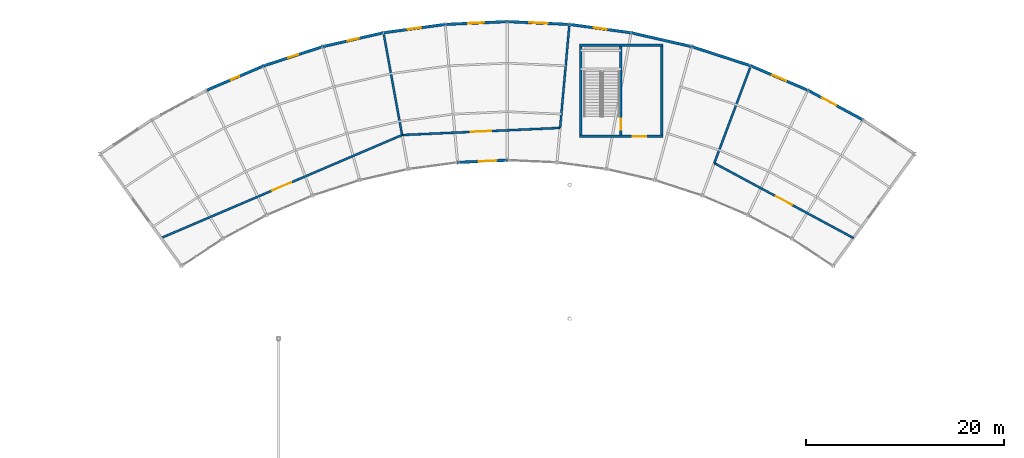
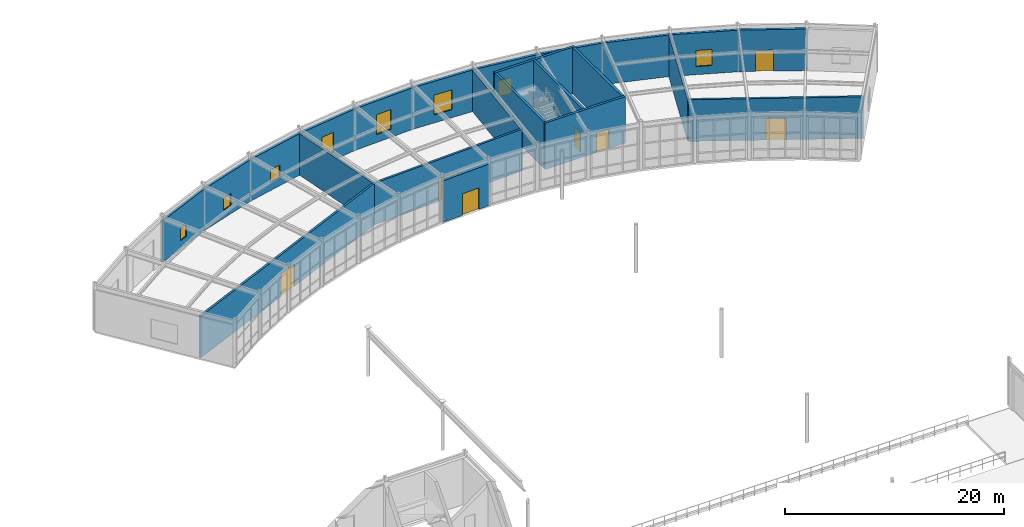
# One storey, part 68 of 87: 23 walls, 8 windows, 7 doors, 15 openings.
"""IFC4 building model written with IfcOpenShell, lengths in metres."""

from ifc_helpers import new_model, si_unit, direction, frame, frame_2d, origin, place, context, subcontext, project, spatial, rectangle, extrude, material, layer, layer_set, type_object, element, fill, save


model = new_model("IFC4")

# Units and contexts
model_context = context("Model", 3, precision=1e-05, world=origin(), true_north=direction((0.0, 1.0)))
body_context = subcontext(model_context, "Body", "Model", "MODEL_VIEW")
ifc_project = project(units=[si_unit("LENGTHUNIT", "METRE"), si_unit("AREAUNIT", "SQUARE_METRE"), si_unit("VOLUMEUNIT", "CUBIC_METRE"), si_unit("PLANEANGLEUNIT", "RADIAN"), si_unit("MASSUNIT", "GRAM", prefix="KILO")], contexts=[model_context])

# Site, building, storey
site_placement = place(None, origin())
site = spatial("IfcSite", under=ifc_project, at=site_placement, CompositionType="ELEMENT")
building_placement = place(site_placement, origin())
building = spatial("IfcBuilding", under=site, at=building_placement, Name="Selat Folded Stagehouse", CompositionType="ELEMENT")
storey_placement = place(building_placement, origin())
storey = spatial("IfcBuildingStorey", under=building, at=storey_placement, Name="L00", CompositionType="ELEMENT", Elevation=0.0)

# Wall, opening, door
ifc_material_1 = material(Name="Concrete C40/50", Category="concrete")
ifc_layer_1 = layer(ifc_material_1, 0.215087890625)
ifc_layer_set_1 = layer_set([ifc_layer_1], Name="Concrete C40/50")
wall_type_1 = type_object("IfcWallType", Name="WAL-COMP-215", PredefinedType="STANDARD", material=ifc_layer_set_1)
wall_1_placement = place(storey_placement, frame((57.4267578125, 86.136474609375, 0.0), z_axis=(0.0, 0.0, 1.0), x_axis=(0.919528963336, 0.393022245664, 0.0)))
wall_1 = element("IfcWall", 1, at=wall_1_placement, inside=storey, type_object=wall_type_1, Name="L00 interior partition wall 038", PredefinedType="STANDARD", context=body_context, shape_type="SweptSolid", body=[
    extrude(rectangle(XDim=26.47998046875, YDim=0.215087890625, at=frame_2d((13.239990234375, 0.0))), origin(), (0.0, 0.0, 1.0), 4.638916015625),
])
opening_1_placement = place(wall_1_placement, frame((12.18994140625, 0.0, 0.0)))
opening_1 = element("IfcOpeningElement", 2, at=opening_1_placement, cuts=wall_1, Name="Opening WD-01", PredefinedType="OPENING", context=body_context, shape_type="SweptSolid", body=[
    extrude(rectangle(XDim=2.10009765625, YDim=2.5, at=frame_2d((1.050048828125, 1.25))), frame((0.0, 0.117431640625, 0.0), z_axis=(0.0, -1.0, 0.0), x_axis=(1.0, 0.0, 0.0)), (0.0, 0.0, 1.0), 0.235107421875),
])
ifc_material_2 = material(Name="Scenery workshop double leaf door", Category="wood")
door_type_1 = type_object("IfcDoorType", Name="DOR-WK-2100", OperationType="NOTDEFINED", PredefinedType="DOOR", material=ifc_material_2)
door_1_placement = place(opening_1_placement, origin())
door_1 = element("IfcDoor", 3, at=door_1_placement, inside=storey, type_object=door_type_1, Name="L00 interior door IWAL-L00-038-1", OperationType="SINGLE_SWING_RIGHT", OverallHeight=2.5, OverallWidth=2.10009765625, PredefinedType="DOOR", context=body_context, shape_type="SweptSolid", body=[
    extrude(rectangle(XDim=2.10009765625, YDim=2.5, at=frame_2d((1.050048828125, 1.25))), frame((0.0, 0.02490234375, 0.0), z_axis=(0.0, -1.0, 0.0), x_axis=(1.0, 0.0, 0.0)), (0.0, 0.0, 1.0), 0.050048828125),
])
fill(opening_1, door_1)

wall_2_placement = place(storey_placement, frame((81.77587890625, 96.543701171875, 0.0), z_axis=(0.0, 0.0, 1.0), x_axis=(0.998992662888, 0.044873817482, 0.0)))
wall_2 = element("IfcWall", 4, at=wall_2_placement, inside=storey, type_object=wall_type_1, Name="L00 interior partition wall 039", PredefinedType="STANDARD", context=body_context, shape_type="SweptSolid", body=[
    extrude(rectangle(XDim=15.9736328125, YDim=0.215087890625, at=frame_2d((7.98681640625, 0.0))), origin(), (0.0, 0.0, 1.0), 4.638916015625),
])
opening_2_placement = place(wall_2_placement, frame((6.936767578125, 0.0, 0.0)))
opening_2 = element("IfcOpeningElement", 5, at=opening_2_placement, cuts=wall_2, Name="Opening WD-01", PredefinedType="OPENING", context=body_context, shape_type="SweptSolid", body=[
    extrude(rectangle(XDim=2.10009765625, YDim=2.5, at=frame_2d((1.050048828125, 1.25))), frame((0.0, 0.117431640625, 0.0), z_axis=(0.0, -1.0, 0.0), x_axis=(1.0, 0.0, 0.0)), (0.0, 0.0, 1.0), 0.235107421875),
])
door_2_placement = place(opening_2_placement, origin())
door_2 = element("IfcDoor", 6, at=door_2_placement, inside=storey, type_object=door_type_1, Name="L00 interior door IWAL-L00-039-1", OperationType="SINGLE_SWING_LEFT", OverallHeight=2.5, OverallWidth=2.10009765625, PredefinedType="DOOR", context=body_context, shape_type="SweptSolid", body=[
    extrude(rectangle(XDim=2.10009765625, YDim=2.5, at=frame_2d((1.050048828125, 1.25))), frame((0.0, 0.02490234375, 0.0), z_axis=(0.0, -1.0, 0.0), x_axis=(1.0, 0.0, 0.0)), (0.0, 0.0, 1.0), 0.050048828125),
])
fill(opening_2, door_2)

wall_3_placement = place(storey_placement, frame((113.306884765625, 93.7060546875, 0.0), z_axis=(0.0, 0.0, 1.0), x_axis=(0.880592290025, -0.473874686757, 0.0)))
wall_3 = element("IfcWall", 7, at=wall_3_placement, inside=storey, type_object=wall_type_1, Name="L00 interior partition wall 040", PredefinedType="STANDARD", context=body_context, shape_type="SweptSolid", body=[
    extrude(rectangle(XDim=15.973876953125, YDim=0.215087890625, at=frame_2d((7.98681640625, 0.0))), origin(), (0.0, 0.0, 1.0), 4.638916015625),
])
opening_3_placement = place(wall_3_placement, frame((7.06201171875, 0.0, 0.0)))
opening_3 = element("IfcOpeningElement", 8, at=opening_3_placement, cuts=wall_3, Name="Opening WD-02", PredefinedType="OPENING", context=body_context, shape_type="SweptSolid", body=[
    extrude(rectangle(XDim=1.85009765625, YDim=2.39990234375, at=frame_2d((0.925048828125, 1.199951171875))), frame((0.0, 0.117431640625, 0.0), z_axis=(0.0, -1.0, 0.0), x_axis=(1.0, 0.0, 0.0)), (0.0, 0.0, 1.0), 0.235107421875),
])
ifc_material_3 = material(Name="Wardrobe and props double door", Category="wood")
door_type_2 = type_object("IfcDoorType", Name="DOR-WK-1850", OperationType="NOTDEFINED", PredefinedType="DOOR", material=ifc_material_3)
door_3_placement = place(opening_3_placement, origin())
door_3 = element("IfcDoor", 9, at=door_3_placement, inside=storey, type_object=door_type_2, Name="L00 interior door IWAL-L00-040-1", OperationType="SINGLE_SWING_RIGHT", OverallHeight=2.39990234375, OverallWidth=1.85009765625, PredefinedType="DOOR", context=body_context, shape_type="SweptSolid", body=[
    extrude(rectangle(XDim=1.85009765625, YDim=2.39990234375, at=frame_2d((0.925048828125, 1.199951171875))), frame((0.0, 0.02490234375, 0.0), z_axis=(0.0, -1.0, 0.0), x_axis=(1.0, 0.0, 0.0)), (0.0, 0.0, 1.0), 0.050048828125),
])
fill(opening_3, door_3)

# Walls
for number, where, z_axis, x_axis, name in (
    (10, (81.77587890625, 96.543701171875, 0.0), (0.0, 0.0, 1.0), (-0.178570326803, 0.983927150954, 0.0), "L00 interior partition wall 041"),
    (11, (97.7333984375, 97.260498046875, 0.0), (0.0, 0.0, 1.0), (0.089657304348, 0.995972674212, 0.0), "L00 interior partition wall 042"),
):
    element("IfcWall", number, at=place(storey_placement, frame(where, z_axis=z_axis, x_axis=x_axis)), inside=storey, type_object=wall_type_1, Name=name, PredefinedType="STANDARD", context=body_context, shape_type="SweptSolid", body=[
        extrude(rectangle(XDim=10.5, YDim=0.215087890625, at=frame_2d((5.25, 0.0))), origin(), (0.0, 0.0, 1.0), 4.638916015625),
    ])
wall_4_placement = place(storey_placement, frame((113.306884765625, 93.7060546875, 0.0), z_axis=(0.0, 0.0, 1.0), x_axis=(0.351360409251, 0.93624028049, 0.0)))
element("IfcWall", 12, at=wall_4_placement, inside=storey, type_object=wall_type_1, Name="L00 interior partition wall 043", PredefinedType="STANDARD", context=body_context, shape_type="SweptSolid", body=[
    extrude(rectangle(XDim=10.499755859375, YDim=0.215087890625, at=frame_2d((5.25, 0.0))), origin(), (0.0, 0.0, 1.0), 4.638916015625),
])

# Wall, opening, door
ifc_material_4 = material(Name="Concrete C50/60", Category="concrete")
ifc_layer_2 = layer(ifc_material_4, 0.25)
ifc_layer_set_2 = layer_set([ifc_layer_2], Name="Concrete C50/60")
wall_type_2 = type_object("IfcWallType", Name="WAL-CORE-250", PredefinedType="SHEAR", material=ifc_layer_set_2)
wall_5_placement = place(storey_placement, frame((108.125, 96.39990234375, 0.0), z_axis=(0.0, 0.0, 1.0), x_axis=(-1.0, 0.0, 0.0)))
wall_5 = element("IfcWall", 13, at=wall_5_placement, inside=storey, type_object=wall_type_2, Name="L00 CR-6 south shear wall", PredefinedType="SHEAR", context=body_context, shape_type="SweptSolid", body=[
    extrude(rectangle(XDim=8.449951171875, YDim=0.25, at=frame_2d((4.22509765625, 0.0))), origin(), (0.0, 0.0, 1.0), 5.179931640625),
])
opening_4_placement = place(wall_5_placement, frame((1.699951171875, 0.0, 0.0)))
opening_4 = element("IfcOpeningElement", 14, at=opening_4_placement, cuts=wall_5, Name="Opening FD-60B", PredefinedType="OPENING", context=body_context, shape_type="SweptSolid", body=[
    extrude(rectangle(XDim=1.35009765625, YDim=2.14990234375, at=frame_2d((0.675048828125, 1.074951171875))), frame((0.0, 0.135009765625, 0.0), z_axis=(0.0, -1.0, 0.0), x_axis=(1.0, 0.0, 0.0)), (0.0, 0.0, 1.0), 0.27001953125),
])
ifc_material_5 = material(Name="Protected stair escape door", Category="wood")
door_type_3 = type_object("IfcDoorType", Name="DOR-STR-1350", OperationType="NOTDEFINED", PredefinedType="DOOR", material=ifc_material_5)
door_4_placement = place(opening_4_placement, origin())
door_4 = element("IfcDoor", 15, at=door_4_placement, inside=storey, type_object=door_type_3, Name="L00 CR-6 core lobby fire door", OperationType="SINGLE_SWING_RIGHT", OverallHeight=2.14990234375, OverallWidth=1.35009765625, PredefinedType="DOOR", context=body_context, shape_type="SweptSolid", body=[
    extrude(rectangle(XDim=1.35009765625, YDim=2.14990234375, at=frame_2d((0.675048828125, 1.074951171875))), frame((0.0, 0.02490234375, 0.0), z_axis=(0.0, -1.0, 0.0), x_axis=(1.0, 0.0, 0.0)), (0.0, 0.0, 1.0), 0.050048828125),
])
fill(opening_4, door_4)

# Walls
wall_6_placement = place(storey_placement, frame((99.675048828125, 105.60009765625, 0.0), z_axis=(0.0, 0.0, 1.0), x_axis=(1.0, 0.0, 0.0)))
element("IfcWall", 16, at=wall_6_placement, inside=storey, type_object=wall_type_2, Name="L00 CR-6 north shear wall", PredefinedType="SHEAR", context=body_context, shape_type="SweptSolid", body=[
    extrude(rectangle(XDim=8.449951171875, YDim=0.25, at=frame_2d((4.22509765625, 0.0))), origin(), (0.0, 0.0, 1.0), 5.179931640625),
])
for number, where, z_axis, x_axis, name in (
    (17, (99.800048828125, 96.52490234375, 0.0), (0.0, 0.0, 1.0), (0.0, 1.0, 0.0), "L00 CR-6 west shear wall"),
    (18, (108.0, 105.47509765625, 0.0), (0.0, 0.0, 1.0), (0.0, -1.0, 0.0), "L00 CR-6 east shear wall"),
):
    element("IfcWall", number, at=place(storey_placement, frame(where, z_axis=z_axis, x_axis=x_axis)), inside=storey, type_object=wall_type_2, Name=name, PredefinedType="SHEAR", context=body_context, shape_type="SweptSolid", body=[
        extrude(rectangle(XDim=8.9501953125, YDim=0.25, at=frame_2d((4.47509765625, 0.0))), origin(), (0.0, 0.0, 1.0), 5.179931640625),
    ])

# Wall, opening, door
wall_7_placement = place(storey_placement, frame((103.8798828125, 105.47509765625, 0.0), z_axis=(0.0, 0.0, 1.0), x_axis=(0.0, -1.0, 0.0)))
wall_7 = element("IfcWall", 19, at=wall_7_placement, inside=storey, type_object=wall_type_2, Name="L00 CR-6 internal core divider wall", PredefinedType="SHEAR", context=body_context, shape_type="SweptSolid", body=[
    extrude(rectangle(XDim=8.9501953125, YDim=0.25, at=frame_2d((4.47509765625, 0.0))), origin(), (0.0, 0.0, 1.0), 5.179931640625),
])
opening_5_placement = place(wall_7_placement, frame((7.300048828125, 0.0, 0.0)))
opening_5 = element("IfcOpeningElement", 20, at=opening_5_placement, cuts=wall_7, Name="Opening FD-60", PredefinedType="OPENING", context=body_context, shape_type="SweptSolid", body=[
    extrude(rectangle(XDim=1.10009765625, YDim=2.14990234375, at=frame_2d((0.550048828125, 1.074951171875))), frame((0.0, 0.135009765625, 0.0), z_axis=(0.0, -1.0, 0.0), x_axis=(1.0, 0.0, 0.0)), (0.0, 0.0, 1.0), 0.27001953125),
])
ifc_material_6 = material(Name="Fire-rated timber core door", Category="wood")
door_type_4 = type_object("IfcDoorType", Name="DOR-FIRE-60", OperationType="NOTDEFINED", PredefinedType="DOOR", material=ifc_material_6)
door_5_placement = place(opening_5_placement, origin())
door_5 = element("IfcDoor", 21, at=door_5_placement, inside=storey, type_object=door_type_4, Name="L00 CR-6 protected stair fire door", OperationType="SINGLE_SWING_LEFT", OverallHeight=2.14990234375, OverallWidth=1.10009765625, PredefinedType="DOOR", context=body_context, shape_type="SweptSolid", body=[
    extrude(rectangle(XDim=1.10009765625, YDim=2.14990234375, at=frame_2d((0.550048828125, 1.074951171875))), frame((0.0, 0.02490234375, 0.0), z_axis=(0.0, -1.0, 0.0), x_axis=(1.0, 0.0, 0.0)), (0.0, 0.0, 1.0), 0.050048828125),
])
fill(opening_5, door_5)

# Wall, opening, window
ifc_material_7 = material(Name="Precast concrete C40/50", Category="concrete")
ifc_layer_3 = layer(ifc_material_7, 0.27490234375)
ifc_layer_set_3 = layer_set([ifc_layer_3], Name="Precast concrete C40/50")
wall_type_3 = type_object("IfcWallType", Name="WAL-EXT-275", PredefinedType="STANDARD", material=ifc_layer_set_3)
wall_8_placement = place(storey_placement, frame((62.028076171875, 101.06787109375, 0.0), z_axis=(0.0, 0.0, 1.0), x_axis=(0.919534614305, 0.393009024189, 0.0)))
wall_8 = element("IfcWall", 22, at=wall_8_placement, inside=storey, type_object=wall_type_3, Name="L00 exterior facade wall EW-L00-V6OUT-02", PredefinedType="STANDARD", context=body_context, shape_type="SweptSolid", body=[
    extrude(rectangle(XDim=6.281005859375, YDim=0.27490234375, at=frame_2d((3.140625, 0.0))), origin(), (0.0, 0.0, 1.0), 4.638916015625),
])
opening_6_placement = place(wall_8_placement, frame((2.690673828125, 0.0, 0.89990234375)))
opening_6 = element("IfcOpeningElement", 23, at=opening_6_placement, cuts=wall_8, Name="Opening WN-44", PredefinedType="OPENING", context=body_context, shape_type="SweptSolid", body=[
    extrude(rectangle(XDim=0.89990234375, YDim=1.35009765625, at=frame_2d((0.449951171875, 0.675048828125))), frame((0.0, 0.1474609375, 0.0), z_axis=(0.0, -1.0, 0.0), x_axis=(1.0, 0.0, 0.0)), (0.0, 0.0, 1.0), 0.294921875),
])
ifc_material_8 = material(Name="Thermally broken aluminium and acoustic low-E glass", Category="aluminium")
window_type_1 = type_object("IfcWindowType", Name="WIN-ST-0900x1350", PartitioningType="SINGLE_PANEL", PredefinedType="WINDOW", material=ifc_material_8)
window_1_placement = place(opening_6_placement, origin())
window_1 = element("IfcWindow", 24, at=window_1_placement, inside=storey, type_object=window_type_1, Name="L00 exterior window EW-L00-V6OUT-02-1", OverallHeight=1.35009765625, OverallWidth=0.89990234375, PartitioningType="SINGLE_PANEL", PredefinedType="WINDOW", context=body_context, shape_type="SweptSolid", body=[
    extrude(rectangle(XDim=0.89990234375, YDim=1.35009765625, at=frame_2d((0.449951171875, 0.675048828125))), frame((0.0, 0.030029296875, 0.0), z_axis=(0.0, -1.0, 0.0), x_axis=(1.0, 0.0, 0.0)), (0.0, 0.0, 1.0), 0.06005859375),
])
fill(opening_6, window_1)

wall_9_placement = place(storey_placement, frame((67.8037109375, 103.536376953125, 0.0), z_axis=(0.0, 0.0, 1.0), x_axis=(0.951058059905, 0.309012243593, 0.0)))
wall_9 = element("IfcWall", 25, at=wall_9_placement, inside=storey, type_object=wall_type_3, Name="L00 exterior facade wall EW-L00-V6OUT-03", PredefinedType="STANDARD", context=body_context, shape_type="SweptSolid", body=[
    extrude(rectangle(XDim=6.281005859375, YDim=0.27490234375, at=frame_2d((3.140625, 0.0))), origin(), (0.0, 0.0, 1.0), 4.638916015625),
])
opening_7_placement = place(wall_9_placement, frame((2.615478515625, 0.0, 0.89990234375)))
opening_7 = element("IfcOpeningElement", 26, at=opening_7_placement, cuts=wall_9, Name="Opening WN-43", PredefinedType="OPENING", context=body_context, shape_type="SweptSolid", body=[
    extrude(rectangle(XDim=1.050048828125, YDim=1.35009765625, at=frame_2d((0.52490234375, 0.675048828125))), frame((0.0, 0.1474609375, 0.0), z_axis=(0.0, -1.0, 0.0), x_axis=(1.0, 0.0, 0.0)), (0.0, 0.0, 1.0), 0.294921875),
])
window_type_2 = type_object("IfcWindowType", Name="WIN-ST-1050x1350", PartitioningType="SINGLE_PANEL", PredefinedType="WINDOW", material=ifc_material_8)
window_2_placement = place(opening_7_placement, origin())
window_2 = element("IfcWindow", 27, at=window_2_placement, inside=storey, type_object=window_type_2, Name="L00 exterior window EW-L00-V6OUT-03-1", OverallHeight=1.35009765625, OverallWidth=1.050048828125, PartitioningType="SINGLE_PANEL", PredefinedType="WINDOW", context=body_context, shape_type="SweptSolid", body=[
    extrude(rectangle(XDim=1.050048828125, YDim=1.35009765625, at=frame_2d((0.52490234375, 0.675048828125))), frame((0.0, 0.030029296875, 0.0), z_axis=(0.0, -1.0, 0.0), x_axis=(1.0, 0.0, 0.0)), (0.0, 0.0, 1.0), 0.06005859375),
])
fill(opening_7, window_2)

wall_10_placement = place(storey_placement, frame((73.77734375, 105.477294921875, 0.0), z_axis=(0.0, 0.0, 1.0), x_axis=(0.974926249486, 0.222528218575, 0.0)))
wall_10 = element("IfcWall", 28, at=wall_10_placement, inside=storey, type_object=wall_type_3, Name="L00 exterior facade wall EW-L00-V6OUT-04", PredefinedType="STANDARD", context=body_context, shape_type="SweptSolid", body=[
    extrude(rectangle(XDim=6.281005859375, YDim=0.27490234375, at=frame_2d((3.140625, 0.0))), origin(), (0.0, 0.0, 1.0), 4.638916015625),
])
opening_8_placement = place(wall_10_placement, frame((2.5654296875, 0.0, 0.89990234375)))
opening_8 = element("IfcOpeningElement", 29, at=opening_8_placement, cuts=wall_10, Name="Opening WN-42", PredefinedType="OPENING", context=body_context, shape_type="SweptSolid", body=[
    extrude(rectangle(XDim=1.14990234375, YDim=1.39990234375, at=frame_2d((0.574951171875, 0.699951171875))), frame((0.0, 0.1474609375, 0.0), z_axis=(0.0, -1.0, 0.0), x_axis=(1.0, 0.0, 0.0)), (0.0, 0.0, 1.0), 0.294921875),
])
window_type_3 = type_object("IfcWindowType", Name="WIN-ST-1150x1400", PartitioningType="SINGLE_PANEL", PredefinedType="WINDOW", material=ifc_material_8)
window_3_placement = place(opening_8_placement, origin())
window_3 = element("IfcWindow", 30, at=window_3_placement, inside=storey, type_object=window_type_3, Name="L00 exterior window EW-L00-V6OUT-04-1", OverallHeight=1.39990234375, OverallWidth=1.14990234375, PartitioningType="SINGLE_PANEL", PredefinedType="WINDOW", context=body_context, shape_type="SweptSolid", body=[
    extrude(rectangle(XDim=1.14990234375, YDim=1.39990234375, at=frame_2d((0.574951171875, 0.699951171875))), frame((0.0, 0.030029296875, 0.0), z_axis=(0.0, -1.0, 0.0), x_axis=(1.0, 0.0, 0.0)), (0.0, 0.0, 1.0), 0.06005859375),
])
fill(opening_8, window_3)

wall_11_placement = place(storey_placement, frame((79.90087890625, 106.875, 0.0), z_axis=(0.0, 0.0, 1.0), x_axis=(0.990947344037, 0.134251113014, 0.0)))
wall_11 = element("IfcWall", 31, at=wall_11_placement, inside=storey, type_object=wall_type_3, Name="L00 exterior facade wall EW-L00-V6OUT-05", PredefinedType="STANDARD", context=body_context, shape_type="SweptSolid", body=[
    extrude(rectangle(XDim=6.28125, YDim=0.27490234375, at=frame_2d((3.140625, 0.0))), origin(), (0.0, 0.0, 1.0), 4.638916015625),
])
opening_9_placement = place(wall_11_placement, frame((2.465576171875, 0.0, 0.89990234375)))
opening_9 = element("IfcOpeningElement", 32, at=opening_9_placement, cuts=wall_11, Name="Opening WN-41", PredefinedType="OPENING", context=body_context, shape_type="SweptSolid", body=[
    extrude(rectangle(XDim=1.35009765625, YDim=2.199951171875, at=frame_2d((0.675048828125, 1.10009765625))), frame((0.0, 0.1474609375, 0.0), z_axis=(0.0, -1.0, 0.0), x_axis=(1.0, 0.0, 0.0)), (0.0, 0.0, 1.0), 0.294921875),
])
window_type_4 = type_object("IfcWindowType", Name="WIN-ST-1350x2200", PartitioningType="SINGLE_PANEL", PredefinedType="WINDOW", material=ifc_material_8)
window_4_placement = place(opening_9_placement, origin())
window_4 = element("IfcWindow", 33, at=window_4_placement, inside=storey, type_object=window_type_4, Name="L00 exterior window EW-L00-V6OUT-05-1", OverallHeight=2.199951171875, OverallWidth=1.35009765625, PartitioningType="SINGLE_PANEL", PredefinedType="WINDOW", context=body_context, shape_type="SweptSolid", body=[
    extrude(rectangle(XDim=1.35009765625, YDim=2.199951171875, at=frame_2d((0.675048828125, 1.10009765625))), frame((0.0, 0.030029296875, 0.0), z_axis=(0.0, -1.0, 0.0), x_axis=(1.0, 0.0, 0.0)), (0.0, 0.0, 1.0), 0.06005859375),
])
fill(opening_9, window_4)

wall_12_placement = place(storey_placement, frame((86.125244140625, 107.71826171875, 0.0), z_axis=(0.0, 0.0, 1.0), x_axis=(0.998993472837, 0.044855782563, 0.0)))
wall_12 = element("IfcWall", 34, at=wall_12_placement, inside=storey, type_object=wall_type_3, Name="L00 exterior facade wall EW-L00-V6OUT-06", PredefinedType="STANDARD", context=body_context, shape_type="SweptSolid", body=[
    extrude(rectangle(XDim=6.281005859375, YDim=0.27490234375, at=frame_2d((3.140625, 0.0))), origin(), (0.0, 0.0, 1.0), 4.638916015625),
])
opening_10_placement = place(wall_12_placement, frame((2.340576171875, 0.0, 0.89990234375)))
opening_10 = element("IfcOpeningElement", 35, at=opening_10_placement, cuts=wall_12, Name="Opening WN-40", PredefinedType="OPENING", context=body_context, shape_type="SweptSolid", body=[
    extrude(rectangle(XDim=1.60009765625, YDim=2.199951171875, at=frame_2d((0.800048828125, 1.10009765625))), frame((0.0, 0.1474609375, 0.0), z_axis=(0.0, -1.0, 0.0), x_axis=(1.0, 0.0, 0.0)), (0.0, 0.0, 1.0), 0.294921875),
])
window_type_5 = type_object("IfcWindowType", Name="WIN-ST-1600x2200", PartitioningType="SINGLE_PANEL", PredefinedType="WINDOW", material=ifc_material_8)
window_5_placement = place(opening_10_placement, origin())
window_5 = element("IfcWindow", 36, at=window_5_placement, inside=storey, type_object=window_type_5, Name="L00 exterior window EW-L00-V6OUT-06-1", OverallHeight=2.199951171875, OverallWidth=1.60009765625, PartitioningType="SINGLE_PANEL", PredefinedType="WINDOW", context=body_context, shape_type="SweptSolid", body=[
    extrude(rectangle(XDim=1.60009765625, YDim=2.199951171875, at=frame_2d((0.800048828125, 1.10009765625))), frame((0.0, 0.030029296875, 0.0), z_axis=(0.0, -1.0, 0.0), x_axis=(1.0, 0.0, 0.0)), (0.0, 0.0, 1.0), 0.06005859375),
])
fill(opening_10, window_5)

wall_13_placement = place(storey_placement, frame((92.39990234375, 108.0, 0.0), z_axis=(0.0, 0.0, 1.0), x_axis=(0.99899355104, -0.044854040849, 0.0)))
wall_13 = element("IfcWall", 37, at=wall_13_placement, inside=storey, type_object=wall_type_3, Name="L00 exterior facade wall EW-L00-V6OUT-07", PredefinedType="STANDARD", context=body_context, shape_type="SweptSolid", body=[
    extrude(rectangle(XDim=6.28125, YDim=0.27490234375, at=frame_2d((3.140625, 0.0))), origin(), (0.0, 0.0, 1.0), 4.638916015625),
])
opening_11_placement = place(wall_13_placement, frame((2.215576171875, 0.0, 0.89990234375)))
opening_11 = element("IfcOpeningElement", 38, at=opening_11_placement, cuts=wall_13, Name="Opening WN-39", PredefinedType="OPENING", context=body_context, shape_type="SweptSolid", body=[
    extrude(rectangle(XDim=1.85009765625, YDim=2.199951171875, at=frame_2d((0.925048828125, 1.10009765625))), frame((0.0, 0.1474609375, 0.0), z_axis=(0.0, -1.0, 0.0), x_axis=(1.0, 0.0, 0.0)), (0.0, 0.0, 1.0), 0.294921875),
])
window_type_6 = type_object("IfcWindowType", Name="WIN-ST-1850x2200", PartitioningType="SINGLE_PANEL", PredefinedType="WINDOW", material=ifc_material_8)
window_6_placement = place(opening_11_placement, origin())
window_6 = element("IfcWindow", 39, at=window_6_placement, inside=storey, type_object=window_type_6, Name="L00 exterior window EW-L00-V6OUT-07-1", OverallHeight=2.199951171875, OverallWidth=1.85009765625, PartitioningType="SINGLE_PANEL", PredefinedType="WINDOW", context=body_context, shape_type="SweptSolid", body=[
    extrude(rectangle(XDim=1.85009765625, YDim=2.199951171875, at=frame_2d((0.925048828125, 1.10009765625))), frame((0.0, 0.030029296875, 0.0), z_axis=(0.0, -1.0, 0.0), x_axis=(1.0, 0.0, 0.0)), (0.0, 0.0, 1.0), 0.06005859375),
])
fill(opening_11, window_6)

wall_14_placement = place(storey_placement, frame((98.6748046875, 107.71826171875, 0.0), z_axis=(0.0, 0.0, 1.0), x_axis=(0.990946643459, -0.134256284087, 0.0)))
wall_14 = element("IfcWall", 40, at=wall_14_placement, inside=storey, type_object=wall_type_3, Name="L00 exterior facade wall EW-L00-V6OUT-08", PredefinedType="STANDARD", context=body_context, shape_type="SweptSolid", body=[
    extrude(rectangle(XDim=6.281005859375, YDim=0.27490234375, at=frame_2d((3.140625, 0.0))), origin(), (0.0, 0.0, 1.0), 4.638916015625),
])
opening_12_placement = place(wall_14_placement, frame((2.465576171875, 0.0, 0.89990234375)))
opening_12 = element("IfcOpeningElement", 41, at=opening_12_placement, cuts=wall_14, Name="Opening WN-08", PredefinedType="OPENING", context=body_context, shape_type="SweptSolid", body=[
    extrude(rectangle(XDim=1.35009765625, YDim=1.800048828125, at=frame_2d((0.675048828125, 0.89990234375))), frame((0.0, 0.1474609375, 0.0), z_axis=(0.0, -1.0, 0.0), x_axis=(1.0, 0.0, 0.0)), (0.0, 0.0, 1.0), 0.294921875),
])
window_type_7 = type_object("IfcWindowType", Name="WIN-WK-1350x1800", PartitioningType="SINGLE_PANEL", PredefinedType="WINDOW", material=ifc_material_8)
window_7_placement = place(opening_12_placement, origin())
window_7 = element("IfcWindow", 42, at=window_7_placement, inside=storey, type_object=window_type_7, Name="L00 exterior window EW-L00-V6OUT-08-1", OverallHeight=1.800048828125, OverallWidth=1.35009765625, PartitioningType="SINGLE_PANEL", PredefinedType="WINDOW", context=body_context, shape_type="SweptSolid", body=[
    extrude(rectangle(XDim=1.35009765625, YDim=1.800048828125, at=frame_2d((0.675048828125, 0.89990234375))), frame((0.0, 0.030029296875, 0.0), z_axis=(0.0, -1.0, 0.0), x_axis=(1.0, 0.0, 0.0)), (0.0, 0.0, 1.0), 0.06005859375),
])
fill(opening_12, window_7)

# Walls
wall_15_placement = place(storey_placement, frame((104.89892578125, 106.875, 0.0), z_axis=(0.0, 0.0, 1.0), x_axis=(0.974928174151, -0.22251978619, 0.0)))
element("IfcWall", 43, at=wall_15_placement, inside=storey, type_object=wall_type_3, Name="L00 exterior facade wall EW-L00-V6OUT-09", PredefinedType="STANDARD", context=body_context, shape_type="SweptSolid", body=[
    extrude(rectangle(XDim=6.28125, YDim=0.27490234375, at=frame_2d((3.140625, 0.0))), origin(), (0.0, 0.0, 1.0), 4.638916015625),
])
wall_16_placement = place(storey_placement, frame((111.022705078125, 105.477294921875, 0.0), z_axis=(0.0, 0.0, 1.0), x_axis=(0.951054348109, -0.309023667285, 0.0)))
element("IfcWall", 44, at=wall_16_placement, inside=storey, type_object=wall_type_3, Name="L00 exterior facade wall EW-L00-V6OUT-10", PredefinedType="STANDARD", context=body_context, shape_type="SweptSolid", body=[
    extrude(rectangle(XDim=6.28076171875, YDim=0.27490234375, at=frame_2d((3.140380859375, 0.0))), origin(), (0.0, 0.0, 1.0), 4.638916015625),
])

# Wall, opening, window
wall_17_placement = place(storey_placement, frame((116.99609375, 103.536376953125, 0.0), z_axis=(0.0, 0.0, 1.0), x_axis=(0.919540617607, -0.392994977793, 0.0)))
wall_17 = element("IfcWall", 45, at=wall_17_placement, inside=storey, type_object=wall_type_3, Name="L00 exterior facade wall EW-L00-V6OUT-11", PredefinedType="STANDARD", context=body_context, shape_type="SweptSolid", body=[
    extrude(rectangle(XDim=6.28125, YDim=0.27490234375, at=frame_2d((3.140625, 0.0))), origin(), (0.0, 0.0, 1.0), 4.638916015625),
])
opening_13_placement = place(wall_17_placement, frame((2.390625, 0.0, 0.89990234375)))
opening_13 = element("IfcOpeningElement", 46, at=opening_13_placement, cuts=wall_17, Name="Opening WN-07", PredefinedType="OPENING", context=body_context, shape_type="SweptSolid", body=[
    extrude(rectangle(XDim=1.5, YDim=1.800048828125, at=frame_2d((0.75, 0.89990234375))), frame((0.0, 0.1474609375, 0.0), z_axis=(0.0, -1.0, 0.0), x_axis=(1.0, 0.0, 0.0)), (0.0, 0.0, 1.0), 0.294921875),
])
window_type_8 = type_object("IfcWindowType", Name="WIN-WK-1500x1800", PartitioningType="SINGLE_PANEL", PredefinedType="WINDOW", material=ifc_material_8)
window_8_placement = place(opening_13_placement, origin())
window_8 = element("IfcWindow", 47, at=window_8_placement, inside=storey, type_object=window_type_8, Name="L00 exterior window EW-L00-V6OUT-11-1", OverallHeight=1.800048828125, OverallWidth=1.5, PartitioningType="SINGLE_PANEL", PredefinedType="WINDOW", context=body_context, shape_type="SweptSolid", body=[
    extrude(rectangle(XDim=1.5, YDim=1.800048828125, at=frame_2d((0.75, 0.89990234375))), frame((0.0, 0.030029296875, 0.0), z_axis=(0.0, -1.0, 0.0), x_axis=(1.0, 0.0, 0.0)), (0.0, 0.0, 1.0), 0.06005859375),
])
fill(opening_13, window_8)

# Wall, opening, door
wall_18_placement = place(storey_placement, frame((122.77197265625, 101.06787109375, 0.0), z_axis=(0.0, 0.0, 1.0), x_axis=(0.880582156138, -0.473893517883, 0.0)))
wall_18 = element("IfcWall", 48, at=wall_18_placement, inside=storey, type_object=wall_type_3, Name="L00 exterior facade wall EW-L00-V6OUT-12", PredefinedType="STANDARD", context=body_context, shape_type="SweptSolid", body=[
    extrude(rectangle(XDim=6.281005859375, YDim=0.27490234375, at=frame_2d((3.140625, 0.0))), origin(), (0.0, 0.0, 1.0), 4.638916015625),
])
opening_14_placement = place(wall_18_placement, frame((1.60009765625, 0.0, 0.0)))
opening_14 = element("IfcOpeningElement", 49, at=opening_14_placement, cuts=wall_18, Name="Opening ED-05", PredefinedType="OPENING", context=body_context, shape_type="SweptSolid", body=[
    extrude(rectangle(XDim=1.64990234375, YDim=2.35009765625, at=frame_2d((0.824951171875, 1.175048828125))), frame((0.0, 0.1474609375, 0.0), z_axis=(0.0, -1.0, 0.0), x_axis=(1.0, 0.0, 0.0)), (0.0, 0.0, 1.0), 0.294921875),
])
ifc_material_9 = material(Name="Powder-coated steel and laminated safety glass", Category="steel")
door_type_5 = type_object("IfcDoorType", Name="DOR-EXT-1650x2350", OperationType="NOTDEFINED", PredefinedType="DOOR", material=ifc_material_9)
door_6_placement = place(opening_14_placement, origin())
door_6 = element("IfcDoor", 50, at=door_6_placement, inside=storey, type_object=door_type_5, Name="L00 exterior door EW-L00-V6OUT-12-1", OperationType="SINGLE_SWING_LEFT", OverallHeight=2.35009765625, OverallWidth=1.64990234375, PredefinedType="DOOR", context=body_context, shape_type="SweptSolid", body=[
    extrude(rectangle(XDim=1.64990234375, YDim=2.35009765625, at=frame_2d((0.824951171875, 1.175048828125))), frame((0.0, 0.02490234375, 0.0), z_axis=(0.0, -1.0, 0.0), x_axis=(1.0, 0.0, 0.0)), (0.0, 0.0, 1.0), 0.050048828125),
])
fill(opening_14, door_6)

wall_19_placement = place(storey_placement, frame((92.39990234375, 94.0, 0.0), z_axis=(0.0, 0.0, 1.0), x_axis=(-0.998993927779, -0.044845649304, 0.0)))
wall_19 = element("IfcWall", 51, at=wall_19_placement, inside=storey, type_object=wall_type_3, Name="L00 exterior facade wall EW-L00-V6ARC-DR", PredefinedType="STANDARD", context=body_context, shape_type="SweptSolid", body=[
    extrude(rectangle(XDim=5.02490234375, YDim=0.27490234375, at=frame_2d((2.512451171875, 0.0))), origin(), (0.0, 0.0, 1.0), 4.638916015625),
])
opening_15_placement = place(wall_19_placement, frame((1.10009765625, 0.0, 0.0)))
opening_15 = element("IfcOpeningElement", 52, at=opening_15_placement, cuts=wall_19, Name="Opening ED-04", PredefinedType="OPENING", context=body_context, shape_type="SweptSolid", body=[
    extrude(rectangle(XDim=1.800048828125, YDim=2.39990234375, at=frame_2d((0.89990234375, 1.199951171875))), frame((0.0, 0.1474609375, 0.0), z_axis=(0.0, -1.0, 0.0), x_axis=(1.0, 0.0, 0.0)), (0.0, 0.0, 1.0), 0.294921875),
])
door_type_6 = type_object("IfcDoorType", Name="DOR-EXT-1800x2400", OperationType="NOTDEFINED", PredefinedType="DOOR", material=ifc_material_9)
door_7_placement = place(opening_15_placement, origin())
door_7 = element("IfcDoor", 53, at=door_7_placement, inside=storey, type_object=door_type_6, Name="L00 exterior door EW-L00-V6ARC-DR-1", OperationType="SINGLE_SWING_LEFT", OverallHeight=2.39990234375, OverallWidth=1.800048828125, PredefinedType="DOOR", context=body_context, shape_type="SweptSolid", body=[
    extrude(rectangle(XDim=1.800048828125, YDim=2.39990234375, at=frame_2d((0.89990234375, 1.199951171875))), frame((0.0, 0.02490234375, 0.0), z_axis=(0.0, -1.0, 0.0), x_axis=(1.0, 0.0, 0.0)), (0.0, 0.0, 1.0), 0.050048828125),
])
fill(opening_15, door_7)

save(model, "model.ifc")
